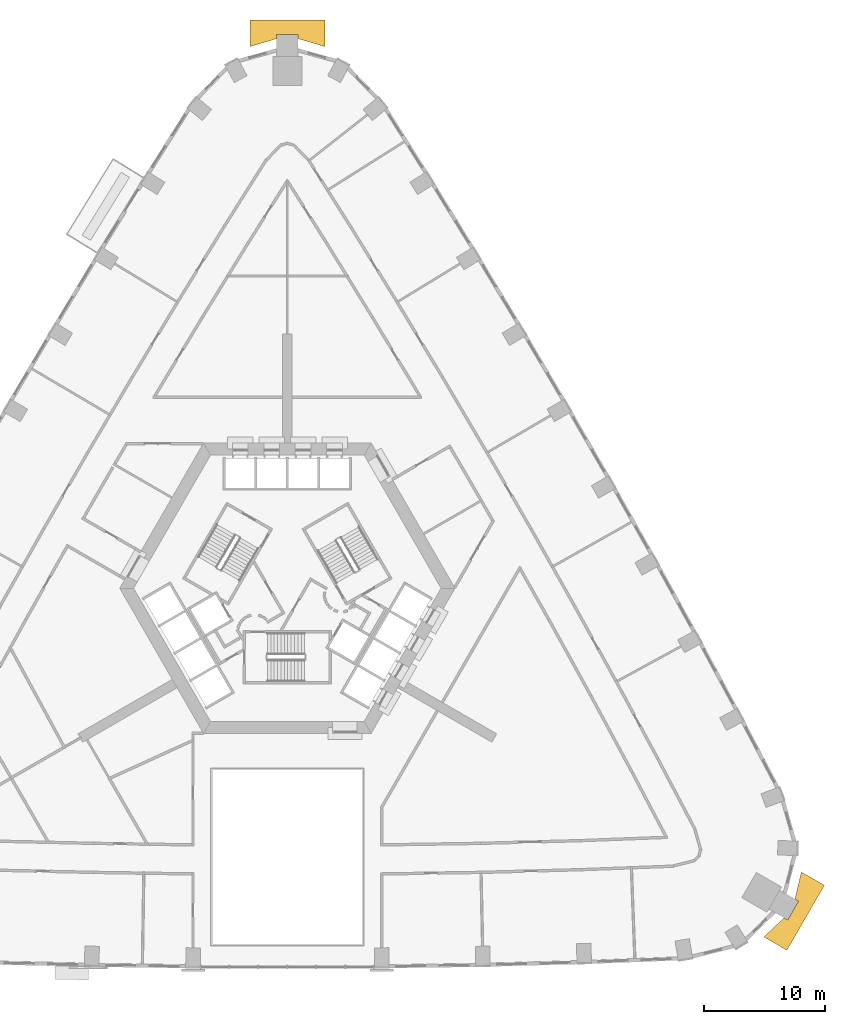
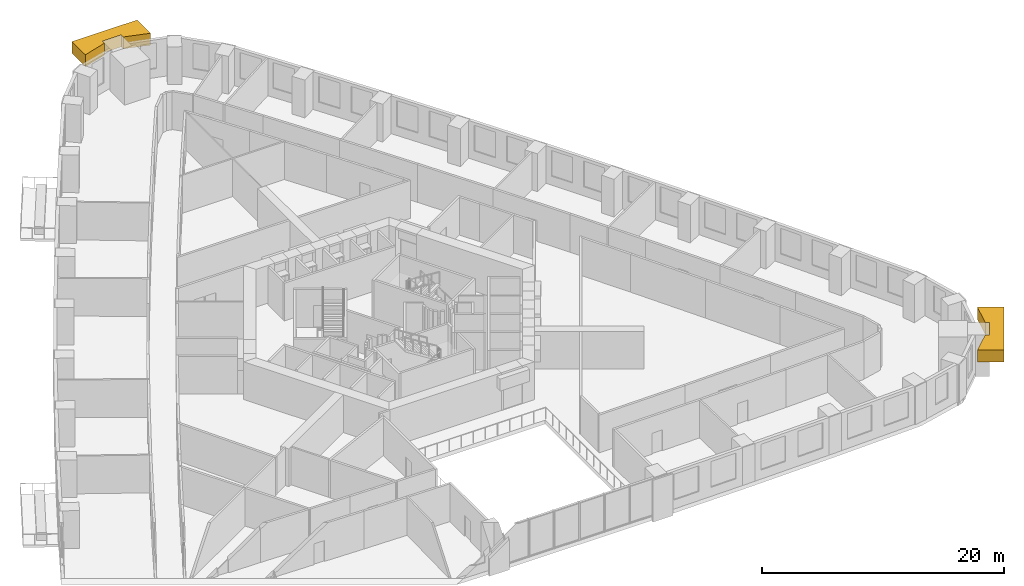
# One storey, part 15 of 15: 2 coverings.
"""IFC4 building model written with IfcOpenShell, lengths in metres."""

from ifc_helpers import new_model, si_unit, direction, frame, origin, place, context, subcontext, project, spatial, polyline, outline, extrude, material, type_object, element, save


model = new_model("IFC4")

# Units and contexts
model_context = context("Model", 3, precision=1e-05, world=origin(), true_north=direction((0.0, 1.0)))
body_context = subcontext(model_context, "Body", "Model", "MODEL_VIEW")
ifc_project = project(units=[si_unit("LENGTHUNIT", "METRE"), si_unit("AREAUNIT", "SQUARE_METRE"), si_unit("VOLUMEUNIT", "CUBIC_METRE"), si_unit("PLANEANGLEUNIT", "RADIAN"), si_unit("MASSUNIT", "GRAM", prefix="KILO")], contexts=[model_context])

# Site, building, storey
site_placement = place(None, origin())
site = spatial("IfcSite", under=ifc_project, at=site_placement, CompositionType="ELEMENT")
building_placement = place(site_placement, origin())
building = spatial("IfcBuilding", under=site, at=building_placement, Name="Entoto Arch Interchange Tower", CompositionType="ELEMENT")
storey_placement = place(building_placement, frame((0.0, 0.0, 56.0)))
storey = spatial("IfcBuildingStorey", under=building, at=storey_placement, Name="L11", CompositionType="ELEMENT", Elevation=56.0)

# Coverings
ifc_material = material(Name="Board-marked precast concrete C50/60", Category="concrete")
covering_type = type_object("IfcCoveringType", Name="PRECAST FRAME COURSE", PredefinedType="CLADDING", material=ifc_material)
covering_1_placement = place(storey_placement, frame((0.0, 0.0, 2.60009765625)))
element("IfcCovering", 1, at=covering_1_placement, inside=storey, type_object=covering_type, Name="Corner pilaster head SE L09-L11", PredefinedType="CLADDING", context=body_context, shape_type="SweptSolid", body=[
    extrude(outline(polyline([(44.382080078125, -22.0439453125), (41.281982421875, -27.4140625), (39.3740234375, -26.31201171875), (41.0439453125, -24.736083984375), (41.342041015625, -24.907958984375), (42.241943359375, -23.35009765625), (41.944091796875, -23.177001953125), (42.47412109375, -20.943115234375), (44.382080078125, -22.0439453125)])), origin(), (0.0, 0.0, 1.0), 1.199951171875),
])
covering_2_placement = place(storey_placement, frame((0.0, 0.0, 2.60009765625)))
element("IfcCovering", 2, at=covering_2_placement, inside=storey, type_object=covering_type, Name="Corner pilaster head N L09-L11", PredefinedType="CLADDING", context=body_context, shape_type="SweptSolid", body=[
    extrude(outline(polyline([(-3.10009765625, 49.4580078125), (3.10009765625, 49.4580078125), (3.10009765625, 47.2548828125), (0.89990234375, 47.9130859375), (0.89990234375, 48.258056640625), (-0.89990234375, 48.258056640625), (-0.89990234375, 47.9130859375), (-3.10009765625, 47.2548828125), (-3.10009765625, 49.4580078125)])), origin(), (0.0, 0.0, 1.0), 1.199951171875),
])

save(model, "model.ifc")
